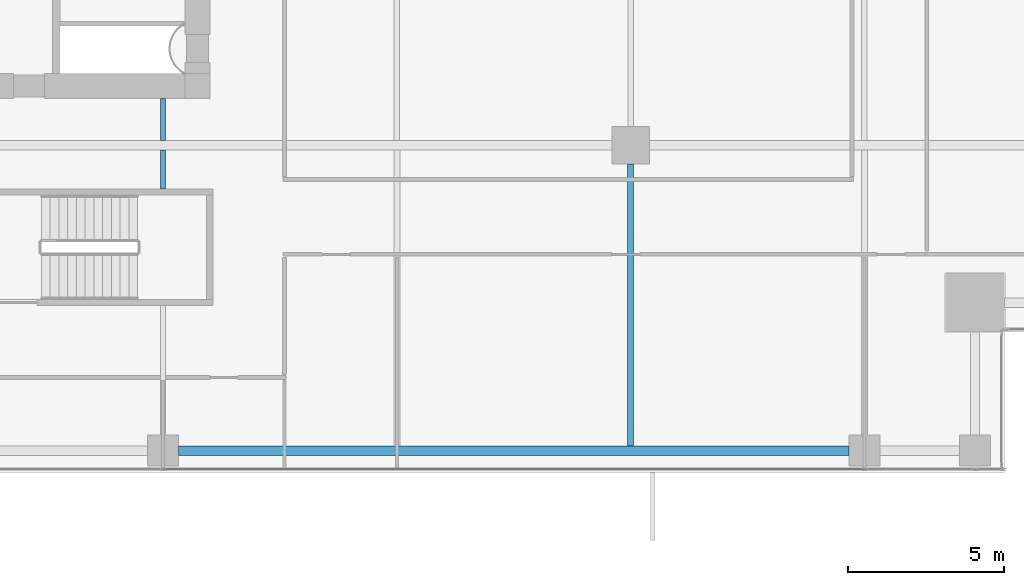
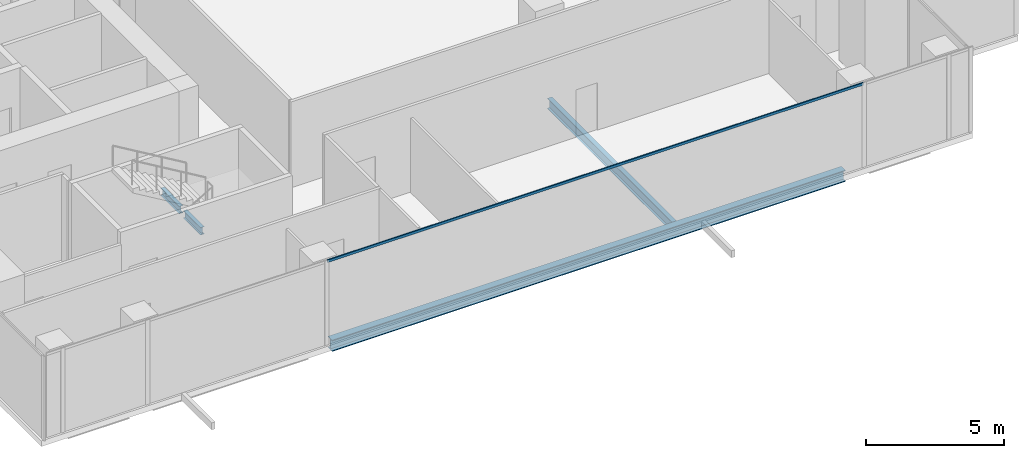
# One storey, part 7 of 40: 4 beams, 1 member, 1 element without a shape of its own.
"""IFC4 building model written with IfcOpenShell, lengths in metres."""

from ifc_helpers import new_model, si_unit, direction, frame, origin, origin_2d, place, context, subcontext, project, spatial, hollow_rectangle, i_section, extrude, source, transform, mapped, material, material_profile, profile_set, type_object, element, aggregate, save


model = new_model("IFC4")

# Units and contexts
model_context = context("Model", 3, precision=1e-05, world=origin(), true_north=direction((0.0, 1.0)))
body_context = subcontext(model_context, "Body", "Model", "MODEL_VIEW")
ifc_project = project(units=[si_unit("LENGTHUNIT", "METRE"), si_unit("AREAUNIT", "SQUARE_METRE"), si_unit("VOLUMEUNIT", "CUBIC_METRE"), si_unit("PLANEANGLEUNIT", "RADIAN"), si_unit("MASSUNIT", "GRAM", prefix="KILO")], contexts=[model_context])

# Site, building, storey
site_placement = place(None, origin())
site = spatial("IfcSite", under=ifc_project, at=site_placement, CompositionType="ELEMENT")
building_placement = place(site_placement, origin())
building = spatial("IfcBuilding", under=site, at=building_placement, Name="Khomas Fold Tower", CompositionType="ELEMENT")
storey_placement = place(building_placement, frame((0.0, 0.0, 204.699951171875)))
storey = spatial("IfcBuildingStorey", under=building, at=storey_placement, Name="L45", CompositionType="ELEMENT", Elevation=204.699951171875)

# Beams
ifc_material_1 = material(Name="Steel S355", Category="steel")
ifc_material_profile_1 = material_profile(ifc_material_1, i_section(OverallWidth=0.159912109375, OverallDepth=0.330078125, WebThickness=0.007568359375, FlangeThickness=0.011474609375, at=origin_2d()), Name="IPE 330")
ifc_profile_set_1 = profile_set([ifc_material_profile_1], Name="Steel S355")
beam_type_1 = type_object("IfcBeamType", Name="IPE 330 beam JB1", PredefinedType="BEAM", material=ifc_profile_set_1)
shared_shape_1 = source(origin(), body_context, "Body", "SweptSolid", [
    extrude(i_section(OverallWidth=0.159912109375, OverallDepth=0.330078125, WebThickness=0.007568359375, FlangeThickness=0.011474609375, at=origin_2d()), origin(), (0.0, 0.0, 1.0), 1.25),
])
beam_1_placement = place(storey_placement, frame((19.5, 12.10009765625, -0.4150390625), z_axis=(0.0, 1.0, 0.0), x_axis=(-1.0, 0.0, 0.0)))
element("IfcBeam", 1, at=beam_1_placement, inside=storey, type_object=beam_type_1, Name="JB1", PredefinedType="BEAM", context=body_context, shape_type="MappedRepresentation", body=[
    mapped(shared_shape_1, transform((0.0, 0.0, 0.0))),
])
ifc_material_2 = material(Name="Steel S355", Category="steel")
ifc_material_profile_2 = material_profile(ifc_material_2, i_section(OverallWidth=0.300048828125, OverallDepth=0.5, WebThickness=0.014404296875, FlangeThickness=0.028076171875, at=origin_2d()), Name="HE 500 B")
ifc_profile_set_2 = profile_set([ifc_material_profile_2], Name="Steel S355")
beam_type_2 = type_object("IfcBeamType", Name="HE 500 B spandrel SB3", PredefinedType="SPANDREL", material=ifc_profile_set_2)
shared_shape_2 = source(origin(), body_context, "Body", "SweptSolid", [
    extrude(i_section(OverallWidth=0.300048828125, OverallDepth=0.5, WebThickness=0.014404296875, FlangeThickness=0.028076171875, at=origin_2d()), origin(), (0.0, 0.0, 1.0), 21.5),
])
beam_2_placement = place(storey_placement, frame((20.0, 3.699951171875, -0.5), z_axis=(1.0, 0.0, 0.0), x_axis=(0.0, 1.0, 0.0)))
element("IfcBeam", 2, at=beam_2_placement, inside=storey, type_object=beam_type_2, Name="SB3", PredefinedType="SPANDREL", context=body_context, shape_type="MappedRepresentation", body=[
    mapped(shared_shape_2, transform((0.0, 0.0, 0.0))),
])
shared_shape_3 = source(origin(), body_context, "Body", "SweptSolid", [
    extrude(i_section(OverallWidth=0.159912109375, OverallDepth=0.330078125, WebThickness=0.007568359375, FlangeThickness=0.011474609375, at=origin_2d()), origin(), (0.0, 0.0, 1.0), 1.35009765625),
])
beam_3_placement = place(storey_placement, frame((19.5, 13.64990234375, -0.4150390625), z_axis=(0.0, 1.0, 0.0), x_axis=(-1.0, 0.0, 0.0)))
element("IfcBeam", 3, at=beam_3_placement, inside=storey, type_object=beam_type_1, Name="JB1", PredefinedType="BEAM", context=body_context, shape_type="MappedRepresentation", body=[
    mapped(shared_shape_3, transform((0.0, 0.0, 0.0))),
])
ifc_material_3 = material(Name="Steel S355", Category="steel")
ifc_material_profile_3 = material_profile(ifc_material_3, i_section(OverallWidth=0.18994140625, OverallDepth=0.449951171875, WebThickness=0.009521484375, FlangeThickness=0.0146484375, at=origin_2d()), Name="IPE 450")
ifc_profile_set_3 = profile_set([ifc_material_profile_3], Name="Steel S355")
beam_type_3 = type_object("IfcBeamType", Name="IPE 450 beam JB4", PredefinedType="BEAM", material=ifc_profile_set_3)
shared_shape_4 = source(origin(), body_context, "Body", "SweptSolid", [
    extrude(i_section(OverallWidth=0.18994140625, OverallDepth=0.449951171875, WebThickness=0.009521484375, FlangeThickness=0.0146484375, at=origin_2d()), origin(), (0.0, 0.0, 1.0), 9.0498046875),
])
beam_4_placement = place(storey_placement, frame((34.5, 3.85009765625, -0.474853515625), z_axis=(0.0, 1.0, 0.0), x_axis=(-1.0, 0.0, 0.0)))
element("IfcBeam", 4, at=beam_4_placement, inside=storey, type_object=beam_type_3, Name="JB4", PredefinedType="BEAM", context=body_context, shape_type="MappedRepresentation", body=[
    mapped(shared_shape_4, transform((0.0, 0.0, 0.0))),
])

# Curtain wall, member
ifc_material_4 = material(Name="Aluminium framed double glazing", Category="aluminium")
curtain_wall_type = type_object("IfcCurtainWallType", Name="SK-Unitised clear-glass wall, office floors CW2", PredefinedType="NOTDEFINED", material=ifc_material_4)
curtain_wall_placement = place(storey_placement, origin())
curtain_wall = element("IfcCurtainWall", 5, at=curtain_wall_placement, inside=storey, type_object=curtain_wall_type, Name="CW2 run L45 00-0", PredefinedType="NOTDEFINED")
ifc_material_5 = material(Name="Aluminium", Category="aluminium")
ifc_material_profile_4 = material_profile(ifc_material_5, hollow_rectangle(XDim=0.050048828125, YDim=0.110107421875, WallThickness=0.00390625, at=origin_2d()), Name="SK-Unitised clear-glass wall, office floors transom CW2-T")
ifc_profile_set_4 = profile_set([ifc_material_profile_4], Name="Aluminium")
member_type = type_object("IfcMemberType", Name="SK-Unitised clear-glass wall, office floors transom CW2-T", PredefinedType="USERDEFINED", material=ifc_profile_set_4)
shared_shape_5 = source(origin(), body_context, "Body", "SweptSolid", [
    extrude(hollow_rectangle(XDim=0.050048828125, YDim=0.110107421875, WallThickness=0.00390625, at=origin_2d()), origin(), (0.0, 0.0, 1.0), 22.43994140625),
])
member_placement = place(storey_placement, frame((19.530029296875, 3.10009765625, 3.695068359375), z_axis=(1.0, 0.0, 0.0), x_axis=(0.0, 1.0, 0.0)))
member = element("IfcMember", 6, at=member_placement, type_object=member_type, Name="CW2 transom 4", ObjectType="TRANSOM", PredefinedType="USERDEFINED", context=body_context, shape_type="MappedRepresentation", body=[
    mapped(shared_shape_5, transform((0.0, 0.0, 0.0))),
])
aggregate(curtain_wall, [member])

save(model, "model.ifc")
